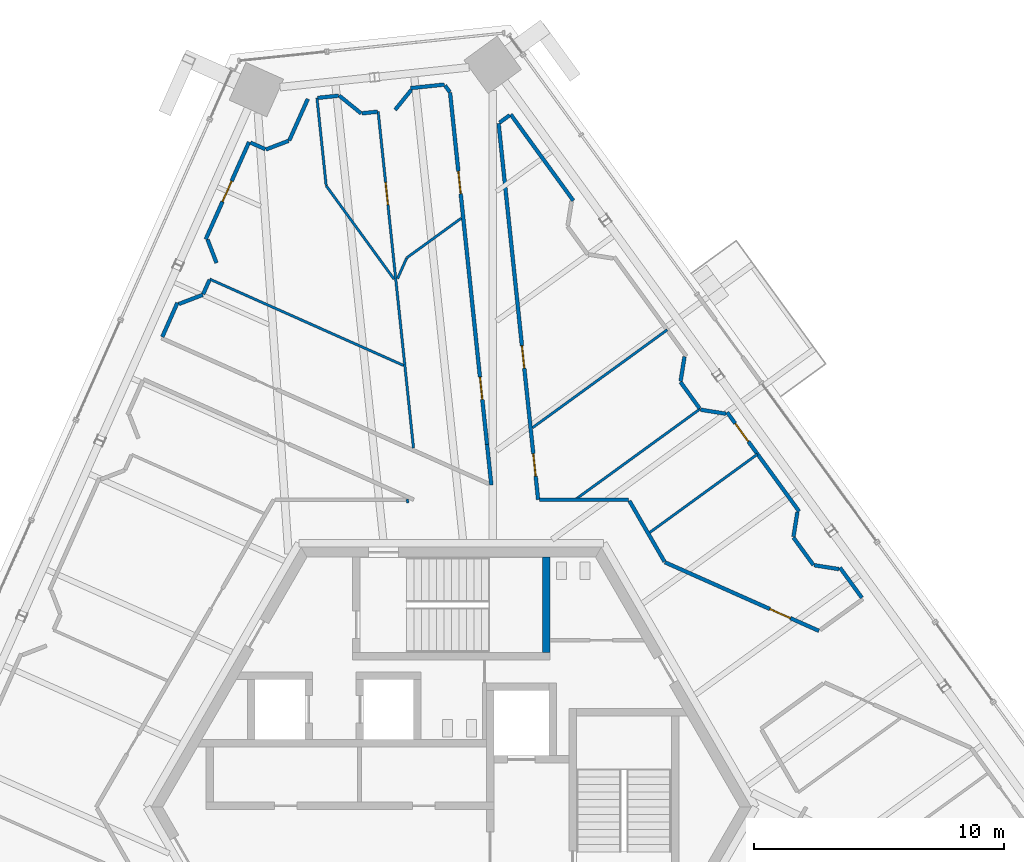
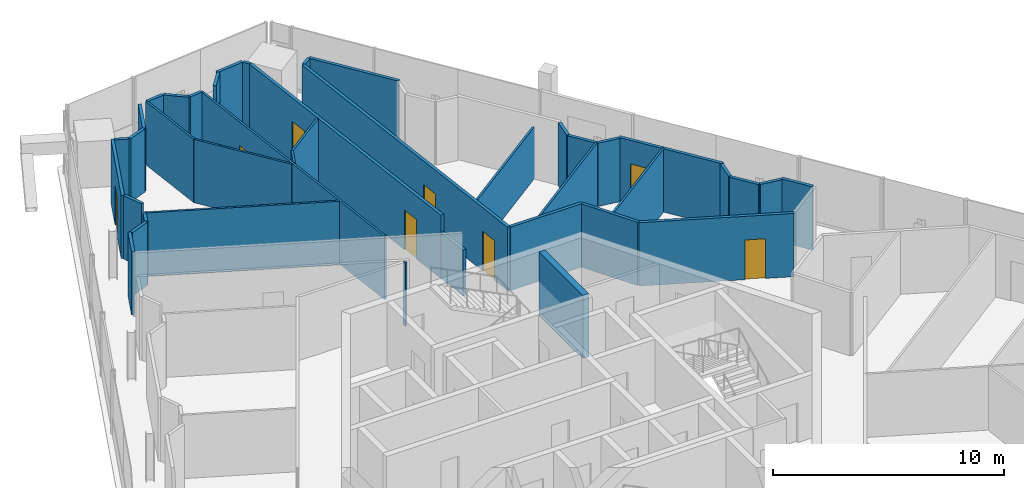
# One storey, part 20 of 26: 41 walls, 8 doors, 8 openings.
"""IFC4 building model written with IfcOpenShell, lengths in metres."""

from ifc_helpers import new_model, si_unit, direction, frame, frame_2d, origin, place, context, subcontext, project, spatial, polyline, rectangle, outline, extrude, source, transform, mapped, material, layer, layer_set, type_object, element, fill, save


model = new_model("IFC4")

# Units and contexts
model_context = context("Model", 3, precision=1e-05, world=origin(), true_north=direction((0.0, 1.0)))
body_context = subcontext(model_context, "Body", "Model", "MODEL_VIEW")
ifc_project = project(units=[si_unit("LENGTHUNIT", "METRE"), si_unit("AREAUNIT", "SQUARE_METRE"), si_unit("VOLUMEUNIT", "CUBIC_METRE"), si_unit("PLANEANGLEUNIT", "RADIAN"), si_unit("MASSUNIT", "GRAM", prefix="KILO")], contexts=[model_context])

# Site, building, storey
site_placement = place(None, origin())
site = spatial("IfcSite", under=ifc_project, at=site_placement, CompositionType="ELEMENT")
building_placement = place(site_placement, origin())
building = spatial("IfcBuilding", under=site, at=building_placement, Name="Triune Harvest Tower", CompositionType="ELEMENT")
storey_placement = place(building_placement, frame((0.0, 0.0, 252.10009765625)))
storey = spatial("IfcBuildingStorey", under=building, at=storey_placement, Name="L66", CompositionType="ELEMENT", Elevation=252.10009765625)

# Wall, openings, doors
ifc_material_1 = material(Name="Gypsum board on steel studs", Category="steel")
ifc_layer_1 = layer(ifc_material_1, 0.14990234375)
ifc_layer_set_1 = layer_set([ifc_layer_1], Name="Gypsum board on steel studs")
wall_type_1 = type_object("IfcWallType", Name="Fire Partition 150 mm", PredefinedType="PARTITIONING", material=ifc_layer_set_1)
wall_1_placement = place(storey_placement, frame((-0.047607421875, 28.575927734375, 0.0), z_axis=(0.0, 0.0, 1.0), x_axis=(0.10452578218, -0.994522177158, 0.0)))
wall_1 = element("IfcWall", 1, at=wall_1_placement, inside=storey, type_object=wall_type_1, Name="Partition L66 005", PredefinedType="PARTITIONING", context=body_context, shape_type="SweptSolid", body=[
    extrude(rectangle(XDim=14.147216796875, YDim=0.14990234375, at=frame_2d((7.07373046875, 0.0))), origin(), (0.0, 0.0, 1.0), 3.349853515625),
])
opening_1_placement = place(wall_1_placement, frame((11.442138671875, 0.0, 0.0)))
opening_1 = element("IfcOpeningElement", 2, at=opening_1_placement, cuts=wall_1, Name="Opening L66-007", PredefinedType="OPENING", context=body_context, shape_type="SweptSolid", body=[
    extrude(rectangle(XDim=0.89990234375, YDim=2.10009765625, at=frame_2d((0.449951171875, 1.050048828125))), frame((0.0, 0.0849609375, 0.0), z_axis=(0.0, -1.0, 0.0), x_axis=(1.0, 0.0, 0.0)), (0.0, 0.0, 1.0), 0.169921875),
])
opening_2_placement = place(wall_1_placement, frame((3.169677734375, 0.0, 0.0)))
opening_2 = element("IfcOpeningElement", 3, at=opening_2_placement, cuts=wall_1, Name="Opening L66-010", PredefinedType="OPENING", context=body_context, shape_type="SweptSolid", body=[
    extrude(rectangle(XDim=0.89990234375, YDim=2.10009765625, at=frame_2d((0.449951171875, 1.050048828125))), frame((0.0, 0.0849609375, 0.0), z_axis=(0.0, -1.0, 0.0), x_axis=(1.0, 0.0, 0.0)), (0.0, 0.0, 1.0), 0.169921875),
])
ifc_material_2 = material(Name="Timber and steel door set", Category="steel")
door_type_1 = type_object("IfcDoorType", Name="Single leaf door FD30 left hand 900 x 2100", OperationType="SINGLE_SWING_LEFT", PredefinedType="DOOR", material=ifc_material_2)
door_1_placement = place(opening_1_placement, origin())
door_1 = element("IfcDoor", 4, at=door_1_placement, inside=storey, type_object=door_type_1, Name="Door L66-007 Office 66.07", OperationType="SINGLE_SWING_LEFT", OverallHeight=2.10009765625, OverallWidth=0.89990234375, PredefinedType="DOOR", context=body_context, shape_type="SweptSolid", body=[
    extrude(rectangle(XDim=0.89990234375, YDim=2.10009765625, at=frame_2d((0.449951171875, 1.050048828125))), frame((0.0, 0.02490234375, 0.0), z_axis=(0.0, -1.0, 0.0), x_axis=(1.0, 0.0, 0.0)), (0.0, 0.0, 1.0), 0.050048828125),
])
fill(opening_1, door_1)
ifc_material_3 = material(Name="Timber and steel door set", Category="steel")
door_type_2 = type_object("IfcDoorType", Name="Single leaf door FD30 right hand 900 x 2100", OperationType="SINGLE_SWING_RIGHT", PredefinedType="DOOR", material=ifc_material_3)
door_2_placement = place(opening_2_placement, origin())
door_2 = element("IfcDoor", 5, at=door_2_placement, inside=storey, type_object=door_type_2, Name="Door L66-010 Pantry 66.10", OperationType="SINGLE_SWING_RIGHT", OverallHeight=2.10009765625, OverallWidth=0.89990234375, PredefinedType="DOOR", context=body_context, shape_type="SweptSolid", body=[
    extrude(rectangle(XDim=0.89990234375, YDim=2.10009765625, at=frame_2d((0.449951171875, 1.050048828125))), frame((0.0, 0.02490234375, 0.0), z_axis=(0.0, -1.0, 0.0), x_axis=(1.0, 0.0, 0.0)), (0.0, 0.0, 1.0), 0.050048828125),
])
fill(opening_2, door_2)

# Wall
wall_2_placement = place(storey_placement, frame((1.43115234375, 14.506103515625, 0.0), z_axis=(0.0, 0.0, 1.0), x_axis=(0.104591450004, -0.994515273179, 0.0)))
element("IfcWall", 6, at=wall_2_placement, inside=storey, type_object=wall_type_1, Name="Partition L66 005a", PredefinedType="PARTITIONING", context=body_context, shape_type="SweptSolid", body=[
    extrude(rectangle(XDim=1.634033203125, YDim=0.14990234375, at=frame_2d((0.81689453125, 0.0))), origin(), (0.0, 0.0, 1.0), 2.435546875),
])

# Wall, openings, doors
wall_3_placement = place(storey_placement, frame((1.891845703125, 27.34228515625, 0.0), z_axis=(0.0, 0.0, 1.0), x_axis=(0.104543694562, -0.994520294377, 0.0)))
wall_3 = element("IfcWall", 7, at=wall_3_placement, inside=storey, type_object=wall_type_1, Name="Partition L66 007", PredefinedType="PARTITIONING", context=body_context, shape_type="SweptSolid", body=[
    extrude(rectangle(XDim=15.1328125, YDim=0.14990234375, at=frame_2d((7.56640625, 0.0))), origin(), (0.0, 0.0, 1.0), 3.349853515625),
])
opening_3_placement = place(wall_3_placement, frame((8.942138671875, 0.0, 0.0)))
opening_3 = element("IfcOpeningElement", 8, at=opening_3_placement, cuts=wall_3, Name="Opening L66-008", PredefinedType="OPENING", context=body_context, shape_type="SweptSolid", body=[
    extrude(rectangle(XDim=0.89990234375, YDim=2.10009765625, at=frame_2d((0.449951171875, 1.050048828125))), frame((0.0, 0.0849609375, 0.0), z_axis=(0.0, -1.0, 0.0), x_axis=(1.0, 0.0, 0.0)), (0.0, 0.0, 1.0), 0.169921875),
])
opening_4_placement = place(wall_3_placement, frame((13.282958984375, 0.0, 0.0)))
opening_4 = element("IfcOpeningElement", 9, at=opening_4_placement, cuts=wall_3, Name="Opening L66-009", PredefinedType="OPENING", context=body_context, shape_type="SweptSolid", body=[
    extrude(rectangle(XDim=0.89990234375, YDim=2.10009765625, at=frame_2d((0.449951171875, 1.050048828125))), frame((0.0, 0.0849609375, 0.0), z_axis=(0.0, -1.0, 0.0), x_axis=(1.0, 0.0, 0.0)), (0.0, 0.0, 1.0), 0.169921875),
])
door_3_placement = place(opening_3_placement, origin())
door_3 = element("IfcDoor", 10, at=door_3_placement, inside=storey, type_object=door_type_2, Name="Door L66-008 Office 66.08", OperationType="SINGLE_SWING_RIGHT", OverallHeight=2.10009765625, OverallWidth=0.89990234375, PredefinedType="DOOR", context=body_context, shape_type="SweptSolid", body=[
    extrude(rectangle(XDim=0.89990234375, YDim=2.10009765625, at=frame_2d((0.449951171875, 1.050048828125))), frame((0.0, 0.02490234375, 0.0), z_axis=(0.0, -1.0, 0.0), x_axis=(1.0, 0.0, 0.0)), (0.0, 0.0, 1.0), 0.050048828125),
])
fill(opening_3, door_3)
door_4_placement = place(opening_4_placement, origin())
door_4 = element("IfcDoor", 11, at=door_4_placement, inside=storey, type_object=door_type_2, Name="Door L66-009 Office 66.09", OperationType="SINGLE_SWING_RIGHT", OverallHeight=2.10009765625, OverallWidth=0.89990234375, PredefinedType="DOOR", context=body_context, shape_type="SweptSolid", body=[
    extrude(rectangle(XDim=0.89990234375, YDim=2.10009765625, at=frame_2d((0.449951171875, 1.050048828125))), frame((0.0, 0.02490234375, 0.0), z_axis=(0.0, -1.0, 0.0), x_axis=(1.0, 0.0, 0.0)), (0.0, 0.0, 1.0), 0.050048828125),
])
fill(opening_4, door_4)

# Walls
wall_4_placement = place(storey_placement, frame((7.121826171875, 12.2490234375, 0.0), z_axis=(0.0, 0.0, 1.0), x_axis=(0.500021093737, -0.866013224967, 0.0)))
element("IfcWall", 12, at=wall_4_placement, inside=storey, type_object=wall_type_1, Name="Partition L66 022", PredefinedType="PARTITIONING", context=body_context, shape_type="SweptSolid", body=[
    extrude(rectangle(XDim=2.80712890625, YDim=0.14990234375, at=frame_2d((1.403564453125, 0.0))), origin(), (0.0, 0.0, 1.0), 3.349853515625),
])
wall_5_placement = place(storey_placement, frame((9.16650390625, 16.99560546875, 0.0), z_axis=(0.0, 0.0, 1.0), x_axis=(0.587669055588, -0.809101403475, 0.0)))
element("IfcWall", 13, at=wall_5_placement, inside=storey, type_object=wall_type_1, Name="Partition L66 032", PredefinedType="PARTITIONING", context=body_context, shape_type="SweptSolid", body=[
    extrude(rectangle(XDim=1.2998046875, YDim=0.14990234375, at=frame_2d((0.64990234375, 0.0))), origin(), (0.0, 0.0, 1.0), 3.349853515625),
])

# Wall, opening, door
wall_6_placement = place(storey_placement, frame((11.02978515625, 15.788330078125, 0.0), z_axis=(0.0, 0.0, 1.0), x_axis=(0.587816204595, -0.808994505306, 0.0)))
wall_6 = element("IfcWall", 14, at=wall_6_placement, inside=storey, type_object=wall_type_1, Name="Partition L66 037", PredefinedType="PARTITIONING", context=body_context, shape_type="SweptSolid", body=[
    extrude(rectangle(XDim=4.90087890625, YDim=0.14990234375, at=frame_2d((2.450439453125, 0.0))), origin(), (0.0, 0.0, 1.0), 3.349853515625),
])
opening_5_placement = place(wall_6_placement, frame((0.549560546875, 0.0, 0.0)))
opening_5 = element("IfcOpeningElement", 15, at=opening_5_placement, cuts=wall_6, Name="Opening L66-005", PredefinedType="OPENING", context=body_context, shape_type="SweptSolid", body=[
    extrude(rectangle(XDim=0.89990234375, YDim=2.10009765625, at=frame_2d((0.449951171875, 1.050048828125))), frame((0.0, 0.0849609375, 0.0), z_axis=(0.0, -1.0, 0.0), x_axis=(1.0, 0.0, 0.0)), (0.0, 0.0, 1.0), 0.169921875),
])
door_5_placement = place(opening_5_placement, origin())
door_5 = element("IfcDoor", 16, at=door_5_placement, inside=storey, type_object=door_type_2, Name="Door L66-005 Print room 66.05", OperationType="SINGLE_SWING_RIGHT", OverallHeight=2.10009765625, OverallWidth=0.89990234375, PredefinedType="DOOR", context=body_context, shape_type="SweptSolid", body=[
    extrude(rectangle(XDim=0.89990234375, YDim=2.10009765625, at=frame_2d((0.449951171875, 1.050048828125))), frame((0.0, 0.02490234375, 0.0), z_axis=(0.0, -1.0, 0.0), x_axis=(1.0, 0.0, 0.0)), (0.0, 0.0, 1.0), 0.050048828125),
])
fill(opening_5, door_5)

wall_7_placement = place(storey_placement, frame((8.54052734375, 9.7919921875, 0.0), z_axis=(0.0, 0.0, 1.0), x_axis=(0.913539701722, -0.406749570838, 0.0)))
wall_7 = element("IfcWall", 17, at=wall_7_placement, inside=storey, type_object=wall_type_1, Name="Partition L66 058", PredefinedType="PARTITIONING", context=body_context, shape_type="SweptSolid", body=[
    extrude(rectangle(XDim=6.745361328125, YDim=0.14990234375, at=frame_2d((3.37255859375, 0.0))), origin(), (0.0, 0.0, 1.0), 3.349853515625),
])
opening_6_placement = place(wall_7_placement, frame((4.595458984375, 0.0, 0.0)))
opening_6 = element("IfcOpeningElement", 18, at=opening_6_placement, cuts=wall_7, Name="Opening L66-006", PredefinedType="OPENING", context=body_context, shape_type="SweptSolid", body=[
    extrude(rectangle(XDim=0.89990234375, YDim=2.10009765625, at=frame_2d((0.449951171875, 1.050048828125))), frame((0.0, 0.0849609375, 0.0), z_axis=(0.0, -1.0, 0.0), x_axis=(1.0, 0.0, 0.0)), (0.0, 0.0, 1.0), 0.169921875),
])
door_6_placement = place(opening_6_placement, origin())
door_6 = element("IfcDoor", 19, at=door_6_placement, inside=storey, type_object=door_type_2, Name="Door L66-006 Pantry 66.06", OperationType="SINGLE_SWING_RIGHT", OverallHeight=2.10009765625, OverallWidth=0.89990234375, PredefinedType="DOOR", context=body_context, shape_type="SweptSolid", body=[
    extrude(rectangle(XDim=0.89990234375, YDim=2.10009765625, at=frame_2d((0.449951171875, 1.050048828125))), frame((0.0, 0.02490234375, 0.0), z_axis=(0.0, -1.0, 0.0), x_axis=(1.0, 0.0, 0.0)), (0.0, 0.0, 1.0), 0.050048828125),
])
fill(opening_6, door_6)

# Walls
wall_8_placement = place(storey_placement, frame((-8.030029296875, 26.57177734375, 0.0), z_axis=(0.0, 0.0, 1.0), x_axis=(0.913454812801, -0.4069401737, 0.0)))
element("IfcWall", 20, at=wall_8_placement, inside=storey, type_object=wall_type_1, Name="Partition L66 060", PredefinedType="PARTITIONING", context=body_context, shape_type="SweptSolid", body=[
    extrude(rectangle(XDim=0.649658203125, YDim=0.14990234375, at=frame_2d((0.32470703125, 0.0))), origin(), (0.0, 0.0, 1.0), 3.349853515625),
])
wall_9_placement = place(storey_placement, frame((9.96728515625, 15.890869140625, 0.0), z_axis=(0.0, 0.0, 1.0), x_axis=(0.987662877886, -0.156595145666, 0.0)))
element("IfcWall", 21, at=wall_9_placement, inside=storey, type_object=wall_type_1, Name="Partition L66 064", PredefinedType="PARTITIONING", context=body_context, shape_type="SweptSolid", body=[
    extrude(rectangle(XDim=1.030517578125, YDim=0.14990234375, at=frame_2d((0.51513671875, 0.0))), origin(), (0.0, 0.0, 1.0), 3.349853515625),
])
wall_10_placement = place(storey_placement, frame((3.52392578125, 12.292236328125, 0.0), z_axis=(0.0, 0.0, 1.0), x_axis=(1.0, 0.0, 0.0)))
element("IfcWall", 22, at=wall_10_placement, inside=storey, type_object=wall_type_1, Name="Partition L66 069", PredefinedType="PARTITIONING", context=body_context, shape_type="SweptSolid", body=[
    extrude(rectangle(XDim=3.572998046875, YDim=0.14990234375, at=frame_2d((1.78662109375, 0.0))), origin(), (0.0, 0.0, 1.0), 3.349853515625),
])
wall_11_placement = place(storey_placement, frame((-5.339111328125, 28.3583984375, 0.0), z_axis=(0.0, 0.0, 1.0), x_axis=(0.994511856443, 0.104623933179, 0.0)))
element("IfcWall", 23, at=wall_11_placement, inside=storey, type_object=wall_type_1, Name="Partition L66 087", PredefinedType="PARTITIONING", context=body_context, shape_type="SweptSolid", body=[
    extrude(rectangle(XDim=0.83544921875, YDim=0.14990234375, at=frame_2d((0.417724609375, 0.0))), origin(), (0.0, 0.0, 1.0), 3.349853515625),
])
wall_12_placement = place(storey_placement, frame((-10.891845703125, 20.1171875, 0.0), z_axis=(0.0, 0.0, 1.0), x_axis=(0.933510634027, 0.358549712256, 0.0)))
element("IfcWall", 24, at=wall_12_placement, inside=storey, type_object=wall_type_1, Name="Partition L66 094", PredefinedType="PARTITIONING", context=body_context, shape_type="SweptSolid", body=[
    extrude(rectangle(XDim=1.02880859375, YDim=0.14990234375, at=frame_2d((0.514404296875, 0.0))), origin(), (0.0, 0.0, 1.0), 3.349853515625),
])
wall_13_placement = place(storey_placement, frame((1.9326171875, 27.371826171875, 0.0), z_axis=(0.0, 0.0, 1.0), x_axis=(0.808967693003, 0.587853103826, 0.0)))
element("IfcWall", 25, at=wall_13_placement, inside=storey, type_object=wall_type_1, Name="Partition L66 110", PredefinedType="PARTITIONING", context=body_context, shape_type="SweptSolid", body=[
    extrude(rectangle(XDim=0.501220703125, YDim=0.14990234375, at=frame_2d((0.25048828125, 0.0))), origin(), (0.0, 0.0, 1.0), 3.349853515625),
])
wall_14_placement = place(storey_placement, frame((-1.701171875, 12.248779296875, 0.0), z_axis=(0.0, 0.0, 1.0), x_axis=(-0.97787611834, -0.209184839748, 0.0)))
element("IfcWall", 26, at=wall_14_placement, inside=storey, type_object=wall_type_1, Name="Partition L66 145", PredefinedType="PARTITIONING", context=body_context, shape_type="SweptSolid", body=[
    extrude(rectangle(XDim=0.096923828125, YDim=0.14990234375, at=frame_2d((0.04833984375, 0.0))), origin(), (0.0, 0.0, 1.0), 3.349853515625),
])
ifc_material_4 = material(Name="Gypsum board on steel studs", Category="steel")
ifc_layer_2 = layer(ifc_material_4, 0.10009765625)
ifc_layer_set_2 = layer_set([ifc_layer_2], Name="Gypsum board on steel studs")
wall_type_2 = type_object("IfcWallType", Name="Partition 100 mm", PredefinedType="PARTITIONING", material=ifc_layer_set_2)
wall_15_placement = place(storey_placement, frame((-5.369140625, 28.35546875, 0.0), z_axis=(0.0, 0.0, 1.0), x_axis=(0.104500689918, -0.994524814073, 0.0)))
element("IfcWall", 27, at=wall_15_placement, inside=storey, type_object=wall_type_2, Name="Partition L66 002", PredefinedType="PARTITIONING", context=body_context, shape_type="SweptSolid", body=[
    extrude(rectangle(XDim=3.520751953125, YDim=0.10009765625, at=frame_2d((1.76025390625, 0.0))), origin(), (0.0, 0.0, 1.0), 3.349853515625),
])

# Wall, opening, door
wall_16_placement = place(storey_placement, frame((-2.9228515625, 27.809814453125, 0.0), z_axis=(0.0, 0.0, 1.0), x_axis=(0.104530765707, -0.994521653369, 0.0)))
wall_16 = element("IfcWall", 28, at=wall_16_placement, inside=storey, type_object=wall_type_2, Name="Partition L66 003", PredefinedType="PARTITIONING", context=body_context, shape_type="SweptSolid", body=[
    extrude(rectangle(XDim=13.532470703125, YDim=0.10009765625, at=frame_2d((6.76611328125, 0.0))), origin(), (0.0, 0.0, 1.0), 3.349853515625),
])
opening_7_placement = place(wall_16_placement, frame((2.85009765625, 0.0, 0.0)))
opening_7 = element("IfcOpeningElement", 29, at=opening_7_placement, cuts=wall_16, Name="Opening L66-011", PredefinedType="OPENING", context=body_context, shape_type="SweptSolid", body=[
    extrude(rectangle(XDim=0.89990234375, YDim=2.10009765625, at=frame_2d((0.449951171875, 1.050048828125))), frame((0.0, 0.06005859375, 0.0), z_axis=(0.0, -1.0, 0.0), x_axis=(1.0, 0.0, 0.0)), (0.0, 0.0, 1.0), 0.1201171875),
])
ifc_material_5 = material(Name="Timber and steel door set", Category="steel")
door_type_3 = type_object("IfcDoorType", Name="Single leaf door right hand 900 x 2100", OperationType="SINGLE_SWING_RIGHT", PredefinedType="DOOR", material=ifc_material_5)
door_7_placement = place(opening_7_placement, origin())
door_7 = element("IfcDoor", 30, at=door_7_placement, inside=storey, type_object=door_type_3, Name="Door L66-011 Office 66.11", OperationType="SINGLE_SWING_RIGHT", OverallHeight=2.10009765625, OverallWidth=0.89990234375, PredefinedType="DOOR", context=body_context, shape_type="SweptSolid", body=[
    extrude(rectangle(XDim=0.89990234375, YDim=2.10009765625, at=frame_2d((0.449951171875, 1.050048828125))), frame((0.0, 0.02490234375, 0.0), z_axis=(0.0, -1.0, 0.0), x_axis=(1.0, 0.0, 0.0)), (0.0, 0.0, 1.0), 0.050048828125),
])
fill(opening_7, door_7)

# Walls
wall_17_placement = place(storey_placement, frame((-5.000244140625, 24.84423828125, 0.0), z_axis=(0.0, 0.0, 1.0), x_axis=(0.587784458376, -0.809017571188, 0.0)))
element("IfcWall", 31, at=wall_17_placement, inside=storey, type_object=wall_type_2, Name="Partition L66 027", PredefinedType="PARTITIONING", context=body_context, shape_type="SweptSolid", body=[
    extrude(rectangle(XDim=4.61181640625, YDim=0.10009765625, at=frame_2d((2.305908203125, 0.0))), origin(), (0.0, 0.0, 1.0), 3.349853515625),
])
wall_18_placement = place(storey_placement, frame((-9.6533203125, 21.1103515625, 0.0), z_axis=(0.0, 0.0, 1.0), x_axis=(0.913540581877, -0.406747594049, 0.0)))
element("IfcWall", 32, at=wall_18_placement, inside=storey, type_object=wall_type_2, Name="Partition L66 059", PredefinedType="PARTITIONING", context=body_context, shape_type="SweptSolid", body=[
    extrude(rectangle(XDim=8.4775390625, YDim=0.10009765625, at=frame_2d((4.23876953125, 0.0))), origin(), (0.0, 0.0, 1.0), 3.349853515625),
])
wall_19_placement = place(storey_placement, frame((7.8779296875, 10.939453125, 0.0), z_axis=(0.0, 0.0, 1.0), x_axis=(0.80901166244, 0.587792591002, 0.0)))
element("IfcWall", 33, at=wall_19_placement, inside=storey, type_object=wall_type_2, Name="Partition L66 106", PredefinedType="PARTITIONING", context=body_context, shape_type="SweptSolid", body=[
    extrude(rectangle(XDim=5.39990234375, YDim=0.10009765625, at=frame_2d((2.699951171875, 0.0))), origin(), (0.0, 0.0, 1.0), 3.349853515625),
])
wall_20_placement = place(storey_placement, frame((4.9541015625, 12.292236328125, 0.0), z_axis=(0.0, 0.0, 1.0), x_axis=(0.809016511447, 0.587785916985, 0.0)))
element("IfcWall", 34, at=wall_20_placement, inside=storey, type_object=wall_type_2, Name="Partition L66 107", PredefinedType="PARTITIONING", context=body_context, shape_type="SweptSolid", body=[
    extrude(rectangle(XDim=6.172119140625, YDim=0.10009765625, at=frame_2d((3.0859375, 0.0))), origin(), (0.0, 0.0, 1.0), 3.349853515625),
])
wall_21_placement = place(storey_placement, frame((3.249755859375, 15.170654296875, 0.0), z_axis=(0.0, 0.0, 1.0), x_axis=(0.809008765967, 0.587796577558, 0.0)))
element("IfcWall", 35, at=wall_21_placement, inside=storey, type_object=wall_type_2, Name="Partition L66 108", PredefinedType="PARTITIONING", context=body_context, shape_type="SweptSolid", body=[
    extrude(rectangle(XDim=6.6572265625, YDim=0.10009765625, at=frame_2d((3.32861328125, 0.0))), origin(), (0.0, 0.0, 1.0), 2.73779296875),
])
wall_22_placement = place(storey_placement, frame((-1.77783203125, 21.964599609375, 0.0), z_axis=(0.0, 0.0, 1.0), x_axis=(0.80904935809, 0.587740704881, 0.0)))
element("IfcWall", 36, at=wall_22_placement, inside=storey, type_object=wall_type_2, Name="Partition L66 109", PredefinedType="PARTITIONING", context=body_context, shape_type="SweptSolid", body=[
    extrude(rectangle(XDim=2.695068359375, YDim=0.10009765625, at=frame_2d((1.34765625, 0.0))), origin(), (0.0, 0.0, 1.0), 3.349853515625),
])
wall_23_placement = place(storey_placement, frame((-2.14599609375, 21.136962890625, 0.0), z_axis=(0.0, 0.0, 1.0), x_axis=(0.406542935415, 0.913631677244, 0.0)))
element("IfcWall", 37, at=wall_23_placement, inside=storey, type_object=wall_type_2, Name="Partition L66 124", PredefinedType="PARTITIONING", context=body_context, shape_type="SweptSolid", body=[
    extrude(rectangle(XDim=0.89599609375, YDim=0.10009765625, at=frame_2d((0.447998046875, 0.0))), origin(), (0.0, 0.0, 1.0), 3.349853515625),
])
ifc_material_6 = material(Name="Concrete 70 MPa", Category="concrete")
ifc_layer_3 = layer(ifc_material_6, 0.300048828125)
ifc_layer_set_3 = layer_set([ifc_layer_3], Name="Concrete 70 MPa")
wall_type_3 = type_object("IfcWallType", Name="Core wall 300", PredefinedType="SHEAR", material=ifc_layer_set_3)
shared_shape_1 = source(origin(), body_context, "Body", "SweptSolid", [
    extrude(outline(polyline([(0.0, -0.14990234375), (0.0, 0.14990234375), (3.80419921875, 0.14990234375), (3.80419921875, -0.14990234375), (0.0, -0.14990234375)])), origin(), (0.0, 0.0, 1.0), 3.349853515625),
])
wall_24_placement = place(storey_placement, frame((3.800048828125, 6.18994140625, 0.0), z_axis=(0.0, 0.0, 1.0), x_axis=(0.0, 1.0, 0.0)))
element("IfcWall", 38, at=wall_24_placement, inside=storey, type_object=wall_type_3, Name="Stair n east wall", PredefinedType="SHEAR", context=body_context, shape_type="MappedRepresentation", body=[
    mapped(shared_shape_1, transform((0.0, 0.0, 0.0), scale=1.0)),
])
shared_shape_2 = source(origin(), body_context, "Body", "SweptSolid", [
    extrude(rectangle(XDim=0.96826171875, YDim=0.14990234375, at=frame_2d((0.484130859375, 0.0))), origin(), (0.0, 0.0, 1.0), 3.349853515625),
])
wall_25_placement = place(storey_placement, frame((-7.4091796875, 26.295166015625, 0.0), z_axis=(0.0, 0.0, 1.0), x_axis=(0.933618255099, 0.358269387117, 0.0)))
element("IfcWall", 39, at=wall_25_placement, inside=storey, type_object=wall_type_1, Name="Partition L66 095", PredefinedType="PARTITIONING", context=body_context, shape_type="MappedRepresentation", body=[
    mapped(shared_shape_2, transform((0.0, 0.0, 0.0), scale=1.0)),
])
shared_shape_3 = source(origin(), body_context, "Body", "SweptSolid", [
    extrude(rectangle(XDim=0.999267578125, YDim=0.14990234375, at=frame_2d((0.49951171875, 0.0))), origin(), (0.0, 0.0, 1.0), 3.349853515625),
])
for number, where, z_axis, x_axis, name in (
    (40, (13.68408203125, 10.81298828125, 0.0), (0.0, 0.0, 1.0), (0.156627563027, 0.987657737529, 0.0), "Partition L66 141"),
    (41, (9.17041015625, 17.025634765625, 0.0), (0.0, 0.0, 1.0), (0.156351459229, 0.987701483849, 0.0), "Partition L66 142"),
):
    element("IfcWall", number, at=place(storey_placement, frame(where, z_axis=z_axis, x_axis=x_axis)), inside=storey, type_object=wall_type_1, Name=name, PredefinedType="PARTITIONING", context=body_context, shape_type="MappedRepresentation", body=[
        mapped(shared_shape_3, transform((0.0, 0.0, 0.0), scale=1.0)),
    ])
shared_shape_4 = source(origin(), body_context, "Body", "SweptSolid", [
    extrude(rectangle(XDim=0.9990234375, YDim=0.14990234375, at=frame_2d((0.49951171875, 0.0))), origin(), (0.0, 0.0, 1.0), 3.349853515625),
])
wall_26_placement = place(storey_placement, frame((14.51220703125, 9.673095703125, 0.0), z_axis=(0.0, 0.0, 1.0), x_axis=(0.987695509603, -0.156389194989, 0.0)))
element("IfcWall", 42, at=wall_26_placement, inside=storey, type_object=wall_type_1, Name="Partition L66 063", PredefinedType="PARTITIONING", context=body_context, shape_type="MappedRepresentation", body=[
    mapped(shared_shape_4, transform((0.0, 0.0, 0.0), scale=1.0)),
])
shared_shape_5 = source(origin(), body_context, "Body", "SweptSolid", [
    extrude(rectangle(XDim=0.998779296875, YDim=0.14990234375, at=frame_2d((0.49951171875, 0.0))), origin(), (0.0, 0.0, 1.0), 3.349853515625),
])
wall_27_placement = place(storey_placement, frame((-9.744140625, 22.695068359375, 0.0), z_axis=(0.0, 0.0, 1.0), x_axis=(0.358372903259, -0.93357852493, 0.0)))
element("IfcWall", 43, at=wall_27_placement, inside=storey, type_object=wall_type_1, Name="Partition L66 018", PredefinedType="PARTITIONING", context=body_context, shape_type="MappedRepresentation", body=[
    mapped(shared_shape_5, transform((0.0, 0.0, 0.0), scale=1.0)),
])
shared_shape_6 = source(origin(), body_context, "Body", "SweptSolid", [
    extrude(rectangle(XDim=1.35595703125, YDim=0.14990234375, at=frame_2d((0.677978515625, 0.0))), origin(), (0.0, 0.0, 1.0), 3.349853515625),
])
wall_28_placement = place(storey_placement, frame((-1.623291015625, 28.7490234375, 0.0), z_axis=(0.0, 0.0, 1.0), x_axis=(0.994533040656, 0.104422368498, 0.0)))
element("IfcWall", 44, at=wall_28_placement, inside=storey, type_object=wall_type_1, Name="Partition L66 088", PredefinedType="PARTITIONING", context=body_context, shape_type="MappedRepresentation", body=[
    mapped(shared_shape_6, transform((0.0, 0.0, 0.0), scale=1.0)),
])
shared_shape_7 = source(origin(), body_context, "Body", "SweptSolid", [
    extrude(rectangle(XDim=0.319091796875, YDim=0.14990234375, at=frame_2d((0.15966796875, 0.0))), origin(), (0.0, 0.0, 1.0), 3.349853515625),
])
wall_29_placement = place(storey_placement, frame((-0.247314453125, 28.850341796875, 0.0), z_axis=(0.0, 0.0, 1.0), x_axis=(0.587807568074, -0.80900078054, 0.0)))
element("IfcWall", 45, at=wall_29_placement, inside=storey, type_object=wall_type_1, Name="Partition L66 029", PredefinedType="PARTITIONING", context=body_context, shape_type="MappedRepresentation", body=[
    mapped(shared_shape_7, transform((0.0, 0.0, 0.0), scale=1.0)),
])
shared_shape_8 = source(origin(), body_context, "Body", "SweptSolid", [
    extrude(rectangle(XDim=1.8212890625, YDim=0.14990234375, at=frame_2d((0.91064453125, 0.0))), origin(), (0.0, 0.0, 1.0), 3.349853515625),
])
wall_30_placement = place(storey_placement, frame((-6.476806640625, 26.65283203125, 0.0), z_axis=(0.0, 0.0, 1.0), x_axis=(0.406710521347, 0.913557087338, 0.0)))
element("IfcWall", 46, at=wall_30_placement, inside=storey, type_object=wall_type_1, Name="Partition L66 126", PredefinedType="PARTITIONING", context=body_context, shape_type="MappedRepresentation", body=[
    mapped(shared_shape_8, transform((0.0, 0.0, 0.0), scale=1.0)),
])
shared_shape_9 = source(origin(), body_context, "Body", "SweptSolid", [
    extrude(rectangle(XDim=1.366455078125, YDim=0.14990234375, at=frame_2d((0.68310546875, 0.0))), origin(), (0.0, 0.0, 1.0), 3.349853515625),
])
wall_31_placement = place(storey_placement, frame((13.679443359375, 10.783447265625, 0.0), z_axis=(0.0, 0.0, 1.0), x_axis=(0.587810444394, -0.808998690643, 0.0)))
element("IfcWall", 47, at=wall_31_placement, inside=storey, type_object=wall_type_1, Name="Partition L66 033", PredefinedType="PARTITIONING", context=body_context, shape_type="MappedRepresentation", body=[
    mapped(shared_shape_9, transform((0.0, 0.0, 0.0), scale=1.0)),
])
shared_shape_10 = source(origin(), body_context, "Body", "SweptSolid", [
    extrude(rectangle(XDim=4.26025390625, YDim=0.14990234375, at=frame_2d((2.130126953125, 0.0))), origin(), (0.0, 0.0, 1.0), 3.349853515625),
])
wall_32_placement = place(storey_placement, frame((2.37841796875, 27.696044921875, 0.0), z_axis=(0.0, 0.0, 1.0), x_axis=(0.587800222867, -0.809006117404, 0.0)))
element("IfcWall", 48, at=wall_32_placement, inside=storey, type_object=wall_type_1, Name="Partition L66 035", PredefinedType="PARTITIONING", context=body_context, shape_type="MappedRepresentation", body=[
    mapped(shared_shape_10, transform((0.0, 0.0, 0.0), scale=1.0)),
])

# Wall, opening, door
wall_33_placement = place(storey_placement, frame((-9.817626953125, 22.7041015625, 0.0), z_axis=(0.0, 0.0, 1.0), x_axis=(0.406765794446, 0.913532478059, 0.0)))
wall_33 = element("IfcWall", 49, at=wall_33_placement, inside=storey, type_object=wall_type_1, Name="Partition L66 138", PredefinedType="PARTITIONING", context=body_context, shape_type="MappedRepresentation", body=[
    mapped(shared_shape_10, transform((0.0, 0.0, 0.0), scale=1.0)),
])
opening_8_placement = place(wall_33_placement, frame((1.650146484375, 0.0, 0.0)))
opening_8 = element("IfcOpeningElement", 50, at=opening_8_placement, cuts=wall_33, Name="Opening L66-012", PredefinedType="OPENING", context=body_context, shape_type="SweptSolid", body=[
    extrude(rectangle(XDim=0.89990234375, YDim=2.10009765625, at=frame_2d((0.449951171875, 1.050048828125))), frame((0.0, 0.0849609375, 0.0), z_axis=(0.0, -1.0, 0.0), x_axis=(1.0, 0.0, 0.0)), (0.0, 0.0, 1.0), 0.169921875),
])
door_8_placement = place(opening_8_placement, origin())
door_8 = element("IfcDoor", 51, at=door_8_placement, inside=storey, type_object=door_type_2, Name="Door L66-012 Project Room 66.12", OperationType="SINGLE_SWING_RIGHT", OverallHeight=2.10009765625, OverallWidth=0.89990234375, PredefinedType="DOOR", context=body_context, shape_type="SweptSolid", body=[
    extrude(rectangle(XDim=0.89990234375, YDim=2.10009765625, at=frame_2d((0.449951171875, 1.050048828125))), frame((0.0, 0.02490234375, 0.0), z_axis=(0.0, -1.0, 0.0), x_axis=(1.0, 0.0, 0.0)), (0.0, 0.0, 1.0), 0.050048828125),
])
fill(opening_8, door_8)

# Walls
shared_shape_11 = source(origin(), body_context, "Body", "SweptSolid", [
    extrude(rectangle(XDim=1.49072265625, YDim=0.14990234375, at=frame_2d((0.745361328125, 0.0))), origin(), (0.0, 0.0, 1.0), 3.349853515625),
])
for number, where, z_axis, x_axis, name in (
    (52, (15.543701171875, 9.57568359375, 0.0), (0.0, 0.0, 1.0), (0.587772380045, -0.809026346454, 0.0), "Partition L66 038"),
    (53, (-11.553955078125, 18.80419921875, 0.0), (0.0, 0.0, 1.0), (0.406670266067, 0.913575007702, 0.0), "Partition L66 137"),
):
    element("IfcWall", number, at=place(storey_placement, frame(where, z_axis=z_axis, x_axis=x_axis)), inside=storey, type_object=wall_type_1, Name=name, PredefinedType="PARTITIONING", context=body_context, shape_type="MappedRepresentation", body=[
        mapped(shared_shape_11, transform((0.0, 0.0, 0.0), scale=1.0)),
    ])
shared_shape_12 = source(origin(), body_context, "Body", "SweptSolid", [
    extrude(rectangle(XDim=1.029052734375, YDim=0.14990234375, at=frame_2d((0.5146484375, 0.0))), origin(), (0.0, 0.0, 1.0), 3.349853515625),
])
wall_34_placement = place(storey_placement, frame((-2.243408203125, 27.881103515625, 0.0), z_axis=(0.0, 0.0, 1.0), x_axis=(0.629198228668, 0.777244870707, 0.0)))
element("IfcWall", 54, at=wall_34_placement, inside=storey, type_object=wall_type_1, Name="Partition L66 117", PredefinedType="PARTITIONING", context=body_context, shape_type="MappedRepresentation", body=[
    mapped(shared_shape_12, transform((0.0, 0.0, 0.0), scale=1.0)),
])
shared_shape_13 = source(origin(), body_context, "Body", "SweptSolid", [
    extrude(rectangle(XDim=1.12890625, YDim=0.14990234375, at=frame_2d((0.564453125, 0.0))), origin(), (0.0, 0.0, 1.0), 3.349853515625),
])
wall_35_placement = place(storey_placement, frame((-4.479736328125, 28.44873046875, 0.0), z_axis=(0.0, 0.0, 1.0), x_axis=(0.777098785804, -0.629378643665, 0.0)))
element("IfcWall", 55, at=wall_35_placement, inside=storey, type_object=wall_type_1, Name="Partition L66 046", PredefinedType="PARTITIONING", context=body_context, shape_type="MappedRepresentation", body=[
    mapped(shared_shape_13, transform((0.0, 0.0, 0.0), scale=1.0)),
])
shared_shape_14 = source(origin(), body_context, "Body", "SweptSolid", [
    extrude(rectangle(XDim=0.626220703125, YDim=0.14990234375, at=frame_2d((0.31298828125, 0.0))), origin(), (0.0, 0.0, 1.0), 3.349853515625),
])
wall_36_placement = place(storey_placement, frame((-3.572509765625, 27.741455078125, 0.0), z_axis=(0.0, 0.0, 1.0), x_axis=(0.994526794277, 0.104481842754, 0.0)))
element("IfcWall", 56, at=wall_36_placement, inside=storey, type_object=wall_type_1, Name="Partition L66 086", PredefinedType="PARTITIONING", context=body_context, shape_type="MappedRepresentation", body=[
    mapped(shared_shape_14, transform((0.0, 0.0, 0.0), scale=1.0)),
])
shared_shape_15 = source(origin(), body_context, "Body", "SweptSolid", [
    extrude(rectangle(XDim=0.62890625, YDim=0.14990234375, at=frame_2d((0.314453125, 0.0))), origin(), (0.0, 0.0, 1.0), 3.349853515625),
])
wall_37_placement = place(storey_placement, frame((-9.9189453125, 20.51220703125, 0.0), z_axis=(0.0, 0.0, 1.0), x_axis=(0.406858755519, 0.9134910799, 0.0)))
element("IfcWall", 57, at=wall_37_placement, inside=storey, type_object=wall_type_1, Name="Partition L66 131", PredefinedType="PARTITIONING", context=body_context, shape_type="MappedRepresentation", body=[
    mapped(shared_shape_15, transform((0.0, 0.0, 0.0), scale=1.0)),
])

save(model, "model.ifc")
